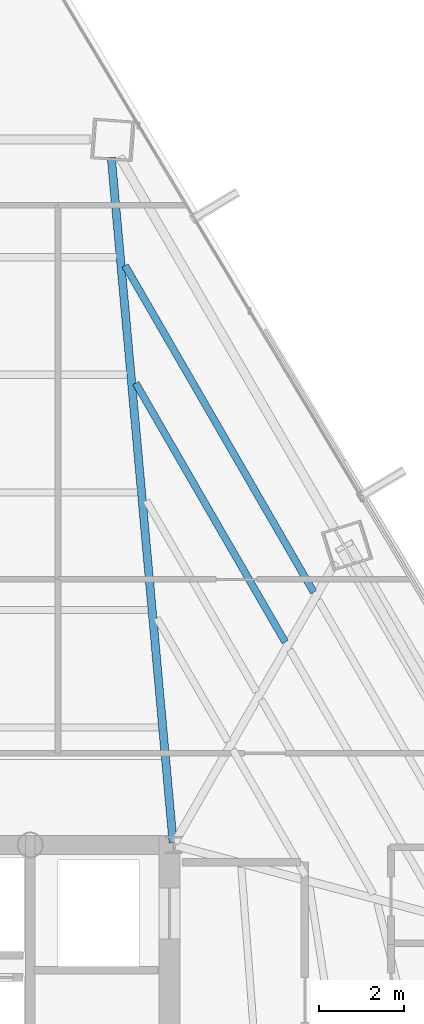
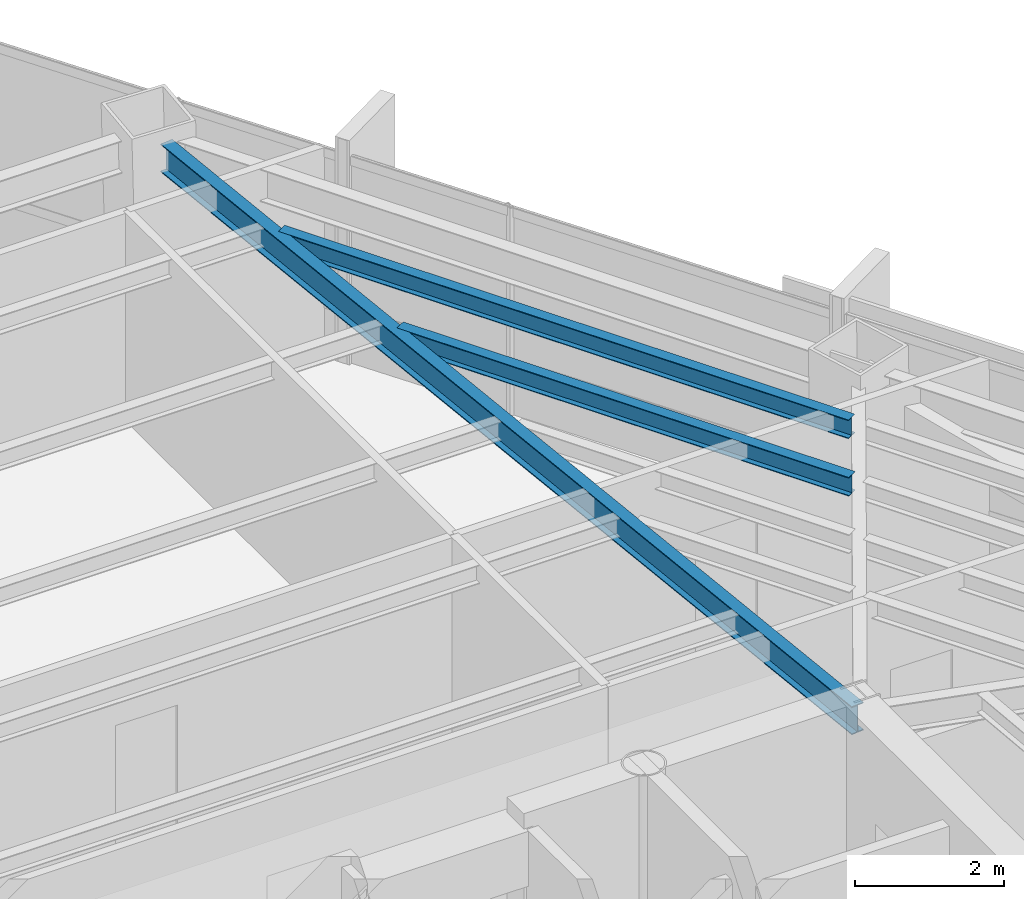
# One storey, part 31 of 41: 3 beams.
"""IFC4 building model written with IfcOpenShell, lengths in metres."""

from ifc_helpers import new_model, si_unit, direction, frame, origin, origin_2d, place, context, subcontext, project, spatial, i_section, extrude, source, transform, mapped, material, material_profile, profile_set, type_object, type_shapes, element, save


model = new_model("IFC4")

# Units and contexts
model_context = context("Model", 3, precision=1e-05, world=origin(), true_north=direction((0.0, 1.0)))
body_context = subcontext(model_context, "Body", "Model", "MODEL_VIEW")
ifc_project = project(units=[si_unit("LENGTHUNIT", "METRE"), si_unit("AREAUNIT", "SQUARE_METRE"), si_unit("VOLUMEUNIT", "CUBIC_METRE"), si_unit("PLANEANGLEUNIT", "RADIAN"), si_unit("MASSUNIT", "GRAM", prefix="KILO")], contexts=[model_context])

# Site, building, storey
site_placement = place(None, origin())
site = spatial("IfcSite", under=ifc_project, at=site_placement, CompositionType="ELEMENT")
building_placement = place(site_placement, origin())
building = spatial("IfcBuilding", under=site, at=building_placement, Name="Caelisora Broadcast Tower", CompositionType="ELEMENT")
storey_placement = place(building_placement, frame((0.0, 0.0, 162.14990234375)))
storey = spatial("IfcBuildingStorey", under=building, at=storey_placement, Name="L42", CompositionType="ELEMENT", Elevation=162.14990234375)

# Beams
ifc_material = material(Name="Steel Grade 350 (AS/NZS 3679.1)", Category="steel")
ifc_material_profile_1 = material_profile(ifc_material, i_section(OverallWidth=0.19091796875, OverallDepth=0.46044921875, WebThickness=0.010009765625, FlangeThickness=0.01611328125, at=origin_2d()), Name="Steel Grade 350 (AS/NZS 3679.1)")
ifc_profile_set_1 = profile_set([ifc_material_profile_1], Name="Steel Grade 350 (AS/NZS 3679.1)")
beam_type_1 = type_object("IfcBeamType", Name="PG06", PredefinedType="BEAM", material=ifc_profile_set_1)
shared_shape_1 = source(origin(), body_context, "Body", "SweptSolid", [
    extrude(i_section(OverallWidth=0.19091796875, OverallDepth=0.46044921875, WebThickness=0.010009765625, FlangeThickness=0.01611328125, at=origin_2d()), origin(), (0.0, 0.0, 1.0), 16.102294921875),
])
type_shapes(beam_type_1, [shared_shape_1])
beam_1_placement = place(storey_placement, frame((45.49462890625, 30.059814453125, 3.169921875), z_axis=(-0.089849461831, 0.995955357538, 0.0), x_axis=(-0.995955357538, -0.089849461831, 0.0)))
element("IfcBeam", 1, at=beam_1_placement, inside=storey, type_object=beam_type_1, Name="L42 beam PG06", PredefinedType="BEAM", context=body_context, shape_type="MappedRepresentation", body=[
    mapped(shared_shape_1, transform((0.0, 0.0, 0.0), scale=1.0)),
])
ifc_material_profile_2 = material_profile(ifc_material, i_section(OverallWidth=0.166015625, OverallDepth=0.30712890625, WebThickness=0.006591796875, FlangeThickness=0.01171875, at=origin_2d()), Name="Steel Grade 350 (AS/NZS 3679.1)")
ifc_profile_set_2 = profile_set([ifc_material_profile_2], Name="Steel Grade 350 (AS/NZS 3679.1)")
beam_type_2 = type_object("IfcBeamType", Name="SB03", PredefinedType="JOIST", material=ifc_profile_set_2)
shared_shape_2 = source(origin(), body_context, "Body", "SweptSolid", [
    extrude(i_section(OverallWidth=0.166015625, OverallDepth=0.30712890625, WebThickness=0.006591796875, FlangeThickness=0.01171875, at=origin_2d()), origin(), (0.0, 0.0, 1.0), 6.998779296875),
])
beam_2_placement = place(storey_placement, frame((48.118408203125, 34.7548828125, 3.24658203125), z_axis=(-0.500018371667, 0.866014796638, 0.0), x_axis=(-0.866014796638, -0.500018371667, 0.0)))
element("IfcBeam", 2, at=beam_2_placement, inside=storey, type_object=beam_type_2, Name="L42 beam SB03", PredefinedType="JOIST", context=body_context, shape_type="MappedRepresentation", body=[
    mapped(shared_shape_2, transform((0.0, 0.0, 0.0), scale=1.0)),
])
shared_shape_3 = source(origin(), body_context, "Body", "SweptSolid", [
    extrude(i_section(OverallWidth=0.166015625, OverallDepth=0.30712890625, WebThickness=0.006591796875, FlangeThickness=0.01171875, at=origin_2d()), origin(), (0.0, 0.0, 1.0), 8.831298828125),
])
type_shapes(beam_type_2, [shared_shape_2, shared_shape_3])
beam_3_placement = place(storey_placement, frame((48.786376953125, 35.92041015625, 3.24658203125), z_axis=(-0.500019188443, 0.866014325049, 0.0), x_axis=(-0.866014325049, -0.500019188443, 0.0)))
element("IfcBeam", 3, at=beam_3_placement, inside=storey, type_object=beam_type_2, Name="L42 beam SB03", PredefinedType="JOIST", context=body_context, shape_type="MappedRepresentation", body=[
    mapped(shared_shape_3, transform((0.0, 0.0, 0.0), scale=1.0)),
])

save(model, "model.ifc")
